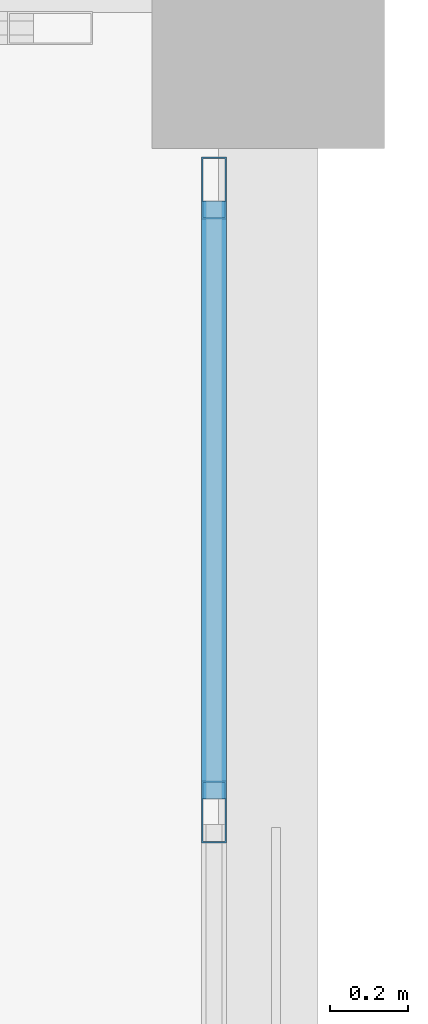
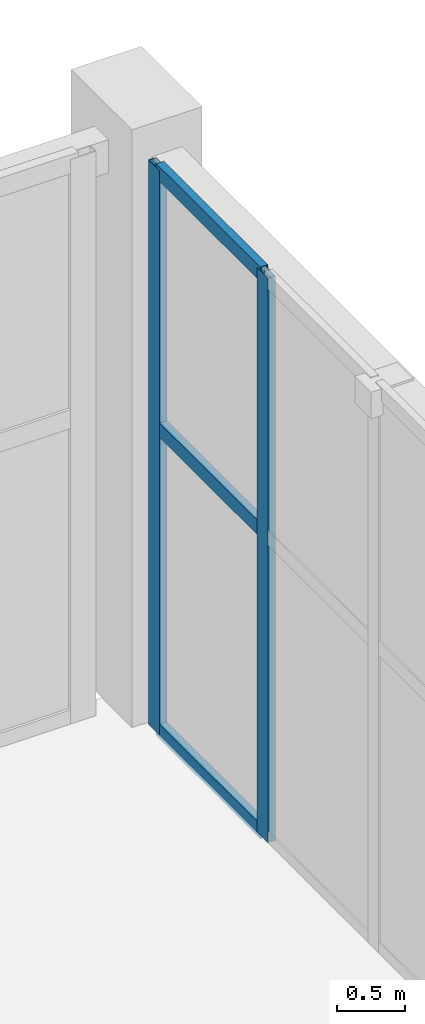
# One storey, part 70 of 139: 5 members, 1 element without a shape of its own.
"""IFC4 building model written with IfcOpenShell, lengths in metres."""

from ifc_helpers import new_model, si_unit, direction, frame, origin, origin_2d, place, context, subcontext, project, spatial, hollow_rectangle, extrude, material, layer, layer_set, material_profile, profile_set, type_object, element, aggregate, save


model = new_model("IFC4")

# Units and contexts
model_context = context("Model", 3, precision=1e-05, world=origin(), true_north=direction((0.0, 1.0)))
body_context = subcontext(model_context, "Body", "Model", "MODEL_VIEW")
ifc_project = project(units=[si_unit("LENGTHUNIT", "METRE"), si_unit("AREAUNIT", "SQUARE_METRE"), si_unit("VOLUMEUNIT", "CUBIC_METRE"), si_unit("PLANEANGLEUNIT", "RADIAN"), si_unit("MASSUNIT", "GRAM", prefix="KILO")], contexts=[model_context])

# Site, building, storey
site_placement = place(None, origin())
site = spatial("IfcSite", under=ifc_project, at=site_placement, CompositionType="ELEMENT")
building_placement = place(site_placement, origin())
building = spatial("IfcBuilding", under=site, at=building_placement, Name="Xicomal Pleat Aquarium", CompositionType="ELEMENT")
storey_placement = place(building_placement, origin())
storey = spatial("IfcBuildingStorey", under=building, at=storey_placement, Name="L01", CompositionType="ELEMENT", Elevation=0.0)

# Curtain wall, members
ifc_material_1 = material(Name="Bronze anodized aluminium 6063-T6", Category="aluminium")
ifc_layer = layer(ifc_material_1, 0.159912109375)
ifc_layer_set = layer_set([ifc_layer], Name="Bronze anodized aluminium 6063-T6")
curtain_wall_type = type_object("IfcCurtainWallType", Name="CW-SYS-01", PredefinedType="NOTDEFINED", material=ifc_layer_set)
curtain_wall_placement = place(storey_placement, origin())
curtain_wall = element("IfcCurtainWall", 1, at=curtain_wall_placement, inside=storey, type_object=curtain_wall_type, Name="L01 unitised curtain wall CW-L01-039", PredefinedType="NOTDEFINED")
ifc_material_2 = material(Name="Bronze anodized aluminium 6063-T6", Category="aluminium")
ifc_material_profile_1 = material_profile(ifc_material_2, hollow_rectangle(XDim=0.06494140625, YDim=0.159912109375, WallThickness=0.00390625, at=origin_2d()), Name="ALU MULL 65x160")
ifc_profile_set_1 = profile_set([ifc_material_profile_1], Name="Bronze anodized aluminium 6063-T6")
member_type_1 = type_object("IfcMemberType", Name="CWM-65x160", PredefinedType="MULLION", material=ifc_profile_set_1)
member_1_placement = place(storey_placement, frame((94.06005859375, 83.047607421875, 0.0), z_axis=(0.0, 0.0, 1.0), x_axis=(1.0, 0.0, 0.0)))
member_1 = element("IfcMember", 2, at=member_1_placement, type_object=member_type_1, Name="CW-01 mullion 1", PredefinedType="MULLION", context=body_context, shape_type="SweptSolid", body=[
    extrude(hollow_rectangle(XDim=0.06494140625, YDim=0.159912109375, WallThickness=0.00390625, at=origin_2d()), origin(), (0.0, 0.0, 1.0), 5.10009765625),
])
member_2_placement = place(storey_placement, frame((94.06005859375, 81.43994140625, 0.0), z_axis=(0.0, 0.0, 1.0), x_axis=(1.0, 0.0, 0.0)))
member_2 = element("IfcMember", 3, at=member_2_placement, type_object=member_type_1, Name="CW-01 mullion 2", PredefinedType="MULLION", context=body_context, shape_type="SweptSolid", body=[
    extrude(hollow_rectangle(XDim=0.06494140625, YDim=0.159912109375, WallThickness=0.00390625, at=origin_2d()), origin(), (0.0, 0.0, 1.0), 5.10009765625),
])
ifc_material_3 = material(Name="Bronze anodized aluminium 6063-T6", Category="aluminium")
ifc_material_profile_2 = material_profile(ifc_material_3, hollow_rectangle(XDim=0.06494140625, YDim=0.1298828125, WallThickness=0.00390625, at=origin_2d()), Name="ALU TRAN 65x130")
ifc_profile_set_2 = profile_set([ifc_material_profile_2], Name="Bronze anodized aluminium 6063-T6")
member_type_2 = type_object("IfcMemberType", Name="CWT-65x130", PredefinedType="USERDEFINED", material=ifc_profile_set_2)
member_3_placement = place(storey_placement, frame((94.06005859375, 83.014892578125, 0.032470703125), z_axis=(0.0, -1.0, 0.0), x_axis=(1.0, 0.0, 0.0)))
member_3 = element("IfcMember", 4, at=member_3_placement, type_object=member_type_2, Name="CW-01 transom 1.1", ObjectType="TRANSOM", PredefinedType="USERDEFINED", context=body_context, shape_type="SweptSolid", body=[
    extrude(hollow_rectangle(XDim=0.06494140625, YDim=0.1298828125, WallThickness=0.00390625, at=origin_2d()), origin(), (0.0, 0.0, 1.0), 1.54248046875),
])
member_4_placement = place(storey_placement, frame((94.06005859375, 83.014892578125, 2.75390625), z_axis=(0.0, -1.0, 0.0), x_axis=(1.0, 0.0, 0.0)))
member_4 = element("IfcMember", 5, at=member_4_placement, type_object=member_type_2, Name="CW-01 transom 1.2", ObjectType="TRANSOM", PredefinedType="USERDEFINED", context=body_context, shape_type="SweptSolid", body=[
    extrude(hollow_rectangle(XDim=0.06494140625, YDim=0.1298828125, WallThickness=0.00390625, at=origin_2d()), origin(), (0.0, 0.0, 1.0), 1.54248046875),
])
member_5_placement = place(storey_placement, frame((94.06005859375, 83.014892578125, 5.0673828125), z_axis=(0.0, -1.0, 0.0), x_axis=(1.0, 0.0, 0.0)))
member_5 = element("IfcMember", 6, at=member_5_placement, type_object=member_type_2, Name="CW-01 transom 1.3", ObjectType="TRANSOM", PredefinedType="USERDEFINED", context=body_context, shape_type="SweptSolid", body=[
    extrude(hollow_rectangle(XDim=0.06494140625, YDim=0.1298828125, WallThickness=0.00390625, at=origin_2d()), origin(), (0.0, 0.0, 1.0), 1.54248046875),
])
aggregate(curtain_wall, [member_1, member_2, member_3, member_4, member_5])

save(model, "model.ifc")
